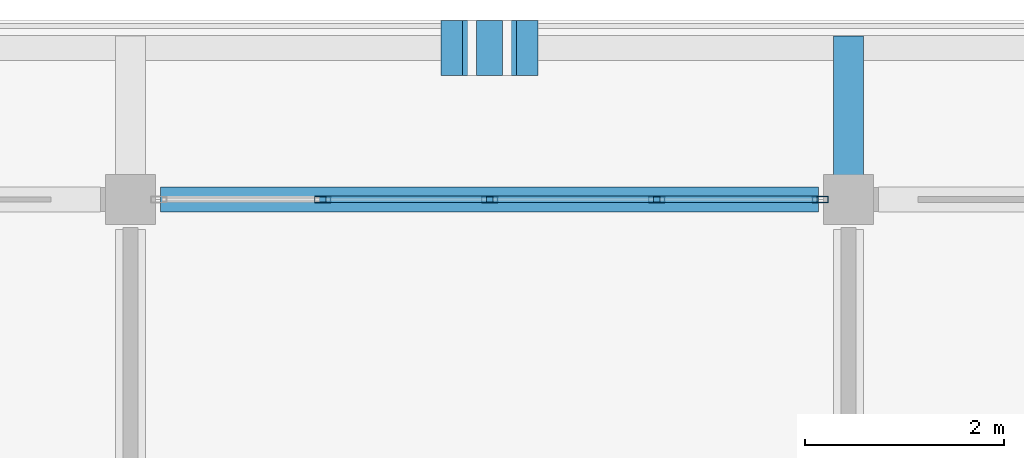
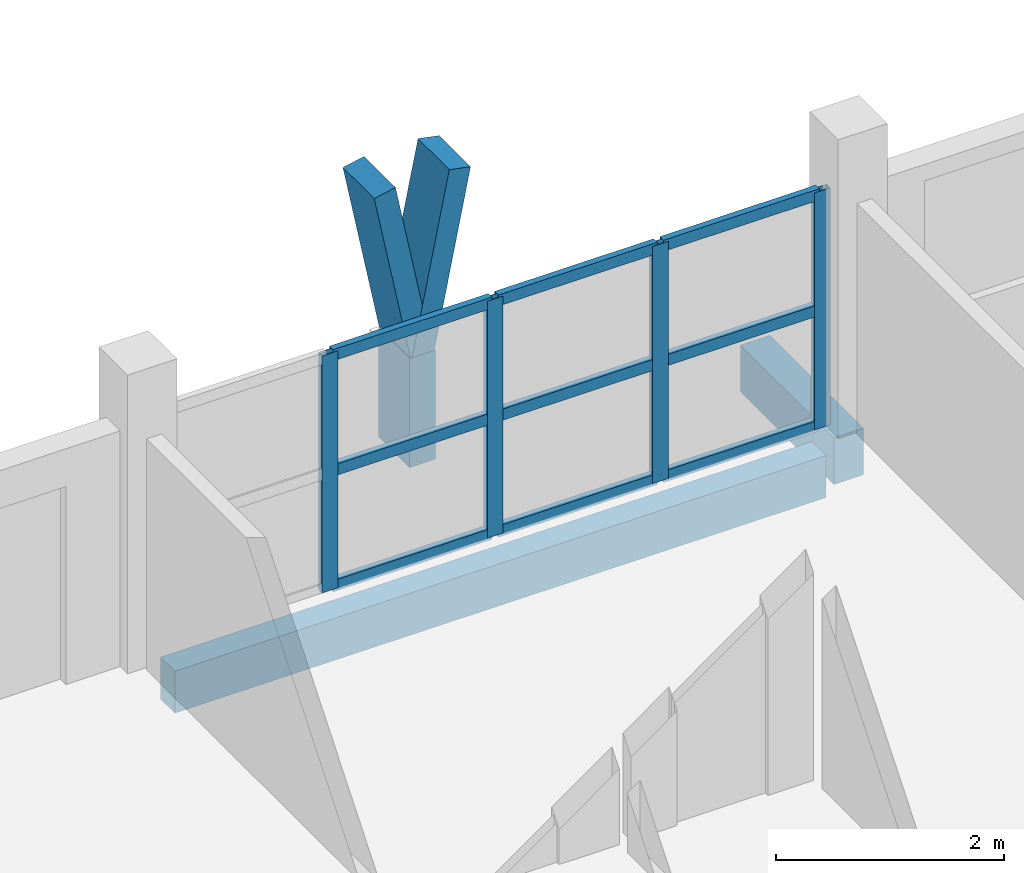
# One storey, part 9 of 45: 16 members, 2 beams, 1 element without a shape of its own.
"""IFC4 building model written with IfcOpenShell, lengths in metres."""

import ifcopenshell
import ifcopenshell.guid

model = None  # the IFC model being written
_history = None  # IfcOwnerHistory: only IFC2X3 demands one
_inside = {}  # id of a spatial element -> (the spatial element, [elements in it])
_under = {}  # id of a project, library or spatial element -> (it, [spatial elements below it])
_declared = {}  # id of a project -> (the project, [libraries it declares])
_typed = {}  # id of a type object -> (the type object, [elements of that type])
_made_of = {}  # id of a material, layer set ... -> (it, [elements and type objects made of it])


def new_model(schema):
    """Start an empty IFC model of exactly this schema.

    Asked for "IFC4X3", IfcOpenShell would pick the latest addendum, in which some entities
    have other attributes; the version numbers below select the first issue.
    IFC2X3 requires an IfcOwnerHistory on every rooted entity: one is made here for all.
    """
    global model, _history
    if schema == "IFC4X3":
        model = ifcopenshell.file(schema_version=(4, 3, 0, 0))
    else:
        model = ifcopenshell.file(schema=schema)
    _inside.clear()
    _under.clear()
    _declared.clear()
    _typed.clear()
    _made_of.clear()
    _history = None
    if model.schema == "IFC2X3":
        org = make("IfcOrganization", Name="unknown")
        user = make(
            "IfcPersonAndOrganization",
            ThePerson=make("IfcPerson", FamilyName="unknown"),
            TheOrganization=org,
        )
        app = make(
            "IfcApplication",
            ApplicationDeveloper=org,
            Version="unknown",
            ApplicationFullName="unknown",
            ApplicationIdentifier="unknown",
        )
        _history = make(
            "IfcOwnerHistory",
            OwningUser=user,
            OwningApplication=app,
            ChangeAction="ADDED",
            CreationDate=0,
        )
    return model


def make(cls, **values):
    """One entity of the class cls with the attributes given. An attribute that is None is left unset."""
    return model.create_entity(
        cls, **{name: value for name, value in values.items() if value is not None}
    )


def rooted(cls, **values):
    """An entity with a GlobalId (a new one), such as an element, a storey or a relation."""
    return make(cls, GlobalId=ifcopenshell.guid.new(), OwnerHistory=_history, **values)


def si_unit(unit_type, name, prefix=None):
    """IfcSIUnit, for example si_unit("LENGTHUNIT", "METRE", prefix="MILLI")."""
    return make("IfcSIUnit", UnitType=unit_type, Prefix=prefix, Name=name)


def assignment(units):
    """IfcUnitAssignment: the units of a project."""
    return None if units is None else make("IfcUnitAssignment", Units=units)


def point(xyz):
    """IfcCartesianPoint."""
    return None if xyz is None else make("IfcCartesianPoint", Coordinates=xyz)


def direction(xyz):
    """IfcDirection."""
    return None if xyz is None else make("IfcDirection", DirectionRatios=xyz)


def frame(location, z_axis=None, x_axis=None):
    """IfcAxis2Placement3D, a coordinate frame: its origin and axes. An axis left out is left unset."""
    return make(
        "IfcAxis2Placement3D",
        Location=point(location),
        Axis=direction(z_axis),
        RefDirection=direction(x_axis),
    )


def frame_2d(location, x_axis=None):
    """IfcAxis2Placement2D, a coordinate frame in the plane: its origin and x axis."""
    return make(
        "IfcAxis2Placement2D", Location=point(location), RefDirection=direction(x_axis)
    )


def origin():
    """The frame at (0, 0, 0) with its axes left unset."""
    return frame((0.0, 0.0, 0.0))


def origin_2d():
    """The frame at (0, 0) in the plane with its x axis left unset."""
    return frame_2d((0.0, 0.0))


def place(relative_to, where):
    """IfcLocalPlacement: puts the frame where relative to a parent placement (None: the world)."""
    return make(
        "IfcLocalPlacement", PlacementRelTo=relative_to, RelativePlacement=where
    )


def context(
    kind, dimensions, precision=None, world=None, true_north=None, identifier=None
):
    """IfcGeometricRepresentationContext, for example the 3D "Model" context."""
    return make(
        "IfcGeometricRepresentationContext",
        ContextIdentifier=identifier,
        ContextType=kind,
        CoordinateSpaceDimension=dimensions,
        Precision=precision,
        WorldCoordinateSystem=world,
        TrueNorth=true_north,
    )


def subcontext(parent, identifier, kind, view, scale=None):
    """IfcGeometricRepresentationSubContext, for example "Body" below "Model"."""
    return make(
        "IfcGeometricRepresentationSubContext",
        ContextIdentifier=identifier,
        ContextType=kind,
        ParentContext=parent,
        TargetScale=scale,
        TargetView=view,
    )


def project(units=None, contexts=None):
    """IfcProject with its units and contexts."""
    return rooted(
        "IfcProject",
        Name="project",
        RepresentationContexts=contexts,
        UnitsInContext=assignment(units),
    )


def spatial(cls, under=None, at=None, **own):
    """A site, building, storey or space (cls), placed at a placement, below another one or the project."""
    s = rooted(cls, ObjectPlacement=at, **own)
    if under is not None:
        _under.setdefault(under.id(), (under, []))[1].append(s)
    return s


def profile(cls, at=None, kind="AREA", **sizes):
    """A parametric profile (cls). Its sizes go by their IFC names, for example OverallWidth=200.0."""
    return make(cls, ProfileType=kind, Position=at, **sizes)


def rectangle(**sizes):
    """IfcRectangleProfileDef."""
    return profile("IfcRectangleProfileDef", **sizes)


def hollow_rectangle(**sizes):
    """IfcRectangleHollowProfileDef."""
    return profile("IfcRectangleHollowProfileDef", **sizes)


def extrude(swept, where, along, depth):
    """IfcExtrudedAreaSolid: the profile swept, set in the frame where, extruded along a direction by depth."""
    return make(
        "IfcExtrudedAreaSolid",
        SweptArea=swept,
        Position=where,
        ExtrudedDirection=direction(along),
        Depth=depth,
    )


def shape(context_of_items, identifier, shape_type, items):
    """IfcShapeRepresentation: the items that make up one representation, for example the "Body"."""
    return make(
        "IfcShapeRepresentation",
        ContextOfItems=context_of_items,
        RepresentationIdentifier=identifier,
        RepresentationType=shape_type,
        Items=items,
    )


def material(Name=None, Category=None):
    """IfcMaterial."""
    return make("IfcMaterial", Name=Name, Category=Category)


def material_profile(
    of_material, cross_section, Name=None, Category=None, Priority=None
):
    """IfcMaterialProfile: a cross section and its material."""
    return make(
        "IfcMaterialProfile",
        Name=Name,
        Material=of_material,
        Profile=cross_section,
        Priority=Priority,
        Category=Category,
    )


def profile_set(profiles, Name=None, composite=None):
    """IfcMaterialProfileSet."""
    return make(
        "IfcMaterialProfileSet",
        Name=Name,
        MaterialProfiles=profiles,
        CompositeProfile=composite,
    )


def made_of(thing, what):
    """Note that an element or type object is made of a material, layer set ...; save() writes the relation."""
    if what is not None:
        _made_of.setdefault(what.id(), (what, []))[1].append(thing)
    return thing


def type_object(cls, material=None, **own):
    """A type object (cls), such as IfcWallType, which elements share."""
    return made_of(rooted(cls, **own), material)


def element(
    cls,
    number,
    at=None,
    inside=None,
    cuts=None,
    type_object=None,
    material=None,
    context=None,
    identifier="Body",
    shape_type=None,
    held_by="IfcProductDefinitionShape",
    body=None,
    shapes=None,
    **own,
):
    """One element of the class cls, such as IfcWall. Its Tag is "e" and its number.

    at: its placement. inside: the storey or other place that contains it. cuts: it is an
    opening in that element (IfcRelVoidsElement). A single representation is given by context,
    identifier, shape_type and body (its items); several are given by shapes. held_by: the class
    of the entity that holds the representations. save() writes the other relations.
    """
    e = rooted(cls, Tag="e%d" % number, ObjectPlacement=at, **own)
    if body is not None:
        shapes = [shape(context, identifier, shape_type, body)]
    if shapes is not None:
        e.Representation = make(held_by, Representations=shapes)
    if inside is not None:
        _inside.setdefault(inside.id(), (inside, []))[1].append(e)
    if cuts is not None:
        rooted(
            "IfcRelVoidsElement", RelatingBuildingElement=cuts, RelatedOpeningElement=e
        )
    if type_object is not None:
        _typed.setdefault(type_object.id(), (type_object, []))[1].append(e)
    return made_of(e, material)


def aggregate(whole, parts):
    """IfcRelAggregates: a whole, such as a stair, and the parts it consists of."""
    return rooted("IfcRelAggregates", RelatingObject=whole, RelatedObjects=parts)


def save(model, path):
    """Write the relations noted so far, then the file.

    IfcRelAggregates (storeys below a building ...), IfcRelContainedInSpatialStructure (elements
    in a storey), IfcRelDefinesByType, IfcRelAssociatesMaterial and IfcRelDeclares: one each for
    every whole, place, type object, material and project.
    """
    for whole, parts in _under.values():
        aggregate(whole, parts)
    for where, things in _inside.values():
        rooted(
            "IfcRelContainedInSpatialStructure",
            RelatedElements=things,
            RelatingStructure=where,
        )
    for kind, things in _typed.values():
        rooted("IfcRelDefinesByType", RelatedObjects=things, RelatingType=kind)
    for what, things in _made_of.values():
        rooted("IfcRelAssociatesMaterial", RelatedObjects=things, RelatingMaterial=what)
    for by, libraries in _declared.values():
        rooted("IfcRelDeclares", RelatingContext=by, RelatedDefinitions=libraries)
    model.write(path)


model = new_model("IFC4")

# Units and contexts
model_context = context("Model", 3, precision=1e-05, world=origin(), true_north=direction((0.0, 1.0)))
body_context = subcontext(model_context, "Body", "Model", "MODEL_VIEW")
ifc_project = project(units=[si_unit("LENGTHUNIT", "METRE"), si_unit("AREAUNIT", "SQUARE_METRE"), si_unit("VOLUMEUNIT", "CUBIC_METRE"), si_unit("PLANEANGLEUNIT", "RADIAN"), si_unit("MASSUNIT", "GRAM", prefix="KILO")], contexts=[model_context])

# Site, building, storey
site_placement = place(None, origin())
site = spatial("IfcSite", under=ifc_project, at=site_placement, CompositionType="ELEMENT")
building_placement = place(site_placement, origin())
building = spatial("IfcBuilding", under=site, at=building_placement, Name="Suanplinth Sawtooth Commons", CompositionType="ELEMENT")
storey_placement = place(building_placement, frame((0.0, 0.0, 38.0)))
storey = spatial("IfcBuildingStorey", under=building, at=storey_placement, Name="L11", CompositionType="ELEMENT", Elevation=38.0)

# Beams
ifc_material_1 = material(Name="Precast concrete C40/50", Category="concrete")
ifc_material_profile_1 = material_profile(ifc_material_1, rectangle(XDim=0.300048828125, YDim=0.5, at=origin_2d()), Name="PC-BM 300x500")
ifc_profile_set_1 = profile_set([ifc_material_profile_1], Name="Precast concrete C40/50")
beam_type_1 = type_object("IfcBeamType", Name="B-07", PredefinedType="BEAM", material=ifc_profile_set_1)
beam_1_placement = place(storey_placement, frame((43.199951171875, 122.39990234375, -0.429931640625), z_axis=(0.0, 1.0, 0.0), x_axis=(-1.0, 0.0, 0.0)))
element("IfcBeam", 1, at=beam_1_placement, inside=storey, type_object=beam_type_1, Name="Balcony Outrigger L11-A-N-6", PredefinedType="BEAM", context=body_context, shape_type="SweptSolid", body=[
    extrude(rectangle(XDim=0.300048828125, YDim=0.5, at=origin_2d()), origin(), (0.0, 0.0, 1.0), 1.64013671875),
])
ifc_material_profile_2 = material_profile(ifc_material_1, rectangle(XDim=0.25, YDim=0.449951171875, at=origin_2d()), Name="PC-SP 250x450")
ifc_profile_set_2 = profile_set([ifc_material_profile_2], Name="Precast concrete C40/50")
beam_type_2 = type_object("IfcBeamType", Name="B-09", PredefinedType="SPANDREL", material=ifc_profile_set_2)
beam_2_placement = place(storey_placement, frame((36.300048828125, 122.39990234375, -0.465087890625), z_axis=(1.0, 0.0, 0.0), x_axis=(0.0, 1.0, 0.0)))
element("IfcBeam", 2, at=beam_2_placement, inside=storey, type_object=beam_type_2, Name="BMX-L11-A-5-17", PredefinedType="SPANDREL", context=body_context, shape_type="SweptSolid", body=[
    extrude(rectangle(XDim=0.25, YDim=0.449951171875, at=origin_2d()), origin(), (0.0, 0.0, 1.0), 6.599853515625),
])

# Members
ifc_material_2 = material(Name="Pigmented precast concrete C40/50", Category="concrete")
ifc_material_profile_3 = material_profile(ifc_material_2, rectangle(XDim=0.260009765625, YDim=0.550048828125, at=origin_2d()), Name="PC-FIN 260x550")
ifc_profile_set_3 = profile_set([ifc_material_profile_3], Name="Pigmented precast concrete C40/50")
member_type_1 = type_object("IfcMemberType", Name="M-09", PredefinedType="USERDEFINED", material=ifc_profile_set_3)
member_1_placement = place(storey_placement, frame((39.60009765625, 123.919921875, 0.0), z_axis=(0.0, 0.0, 1.0), x_axis=(1.0, 0.0, 0.0)))
element("IfcMember", 3, at=member_1_placement, inside=storey, type_object=member_type_1, Name="Y-Blade Stem L11-A-N-02", ObjectType="SHADING FIN", PredefinedType="USERDEFINED", context=body_context, shape_type="SweptSolid", body=[
    extrude(rectangle(XDim=0.260009765625, YDim=0.550048828125, at=origin_2d()), origin(), (0.0, 0.0, 1.0), 1.169921875),
])
ifc_material_profile_4 = material_profile(ifc_material_2, rectangle(XDim=0.219970703125, YDim=0.550048828125, at=origin_2d()), Name="PC-FIN 220x550")
ifc_profile_set_4 = profile_set([ifc_material_profile_4], Name="Pigmented precast concrete C40/50")
member_type_2 = type_object("IfcMemberType", Name="M-10", PredefinedType="USERDEFINED", material=ifc_profile_set_4)
member_2_placement = place(storey_placement, frame((39.60009765625, 123.919921875, 1.1298828125), z_axis=(-0.196406855569, 0.0, 0.980522486782), x_axis=(0.980522486782, 0.0, 0.196406855569)))
element("IfcMember", 4, at=member_2_placement, inside=storey, type_object=member_type_2, Name="Y-Blade Arm L L11-A-N-02", ObjectType="SHADING FIN", PredefinedType="USERDEFINED", context=body_context, shape_type="SweptSolid", body=[
    extrude(rectangle(XDim=0.219970703125, YDim=0.550048828125, at=origin_2d()), origin(), (0.0, 0.0, 1.0), 1.93798828125),
])
member_3_placement = place(storey_placement, frame((39.60009765625, 123.919921875, 1.1298828125), z_axis=(0.196285728346, 0.0, 0.980546741796), x_axis=(-0.980546741796, 0.0, 0.196285728346)))
element("IfcMember", 5, at=member_3_placement, inside=storey, type_object=member_type_2, Name="Y-Blade Arm R L11-A-N-02", ObjectType="SHADING FIN", PredefinedType="USERDEFINED", context=body_context, shape_type="SweptSolid", body=[
    extrude(rectangle(XDim=0.219970703125, YDim=0.550048828125, at=origin_2d()), origin(), (0.0, 0.0, 1.0), 1.937744140625),
])

# Curtain wall, members
ifc_material_3 = material(Name="Anodized aluminium and low-E glazing", Category="aluminium")
curtain_wall_type = type_object("IfcCurtainWallType", Name="CW-06", PredefinedType="USERDEFINED", material=ifc_material_3)
curtain_wall_placement = place(storey_placement, origin())
curtain_wall = element("IfcCurtainWall", 6, at=curtain_wall_placement, inside=storey, type_object=curtain_wall_type, Name="Curtain Wall CW-L11-A-LOUNGE-2", ObjectType="CURTAIN WALL", PredefinedType="USERDEFINED")
ifc_material_4 = material(Name="Anodized aluminium 6063-T6", Category="aluminium")
ifc_material_profile_5 = material_profile(ifc_material_4, hollow_rectangle(XDim=0.06494140625, YDim=0.159912109375, WallThickness=0.00390625, at=origin_2d()), Name="ALU-MUL 65x160")
ifc_profile_set_5 = profile_set([ifc_material_profile_5], Name="Anodized aluminium 6063-T6")
member_type_3 = type_object("IfcMemberType", Name="M-13", PredefinedType="MULLION", material=ifc_profile_set_5)
member_4_placement = place(storey_placement, frame((37.925048828125, 122.39990234375, 0.0), z_axis=(0.0, 0.0, 1.0), x_axis=(0.0, 1.0, 0.0)))
member_4 = element("IfcMember", 7, at=member_4_placement, type_object=member_type_3, Name="CW-06 mullion 2", PredefinedType="MULLION", context=body_context, shape_type="SweptSolid", body=[
    extrude(hollow_rectangle(XDim=0.06494140625, YDim=0.159912109375, WallThickness=0.00390625, at=origin_2d()), origin(), (0.0, 0.0, 1.0), 2.5400390625),
])
member_5_placement = place(storey_placement, frame((39.60009765625, 122.39990234375, 0.0), z_axis=(0.0, 0.0, 1.0), x_axis=(0.0, 1.0, 0.0)))
member_5 = element("IfcMember", 8, at=member_5_placement, type_object=member_type_3, Name="CW-06 mullion 3", PredefinedType="MULLION", context=body_context, shape_type="SweptSolid", body=[
    extrude(hollow_rectangle(XDim=0.06494140625, YDim=0.159912109375, WallThickness=0.00390625, at=origin_2d()), origin(), (0.0, 0.0, 1.0), 2.5400390625),
])
member_6_placement = place(storey_placement, frame((41.27490234375, 122.39990234375, 0.0), z_axis=(0.0, 0.0, 1.0), x_axis=(0.0, 1.0, 0.0)))
member_6 = element("IfcMember", 9, at=member_6_placement, type_object=member_type_3, Name="CW-06 mullion 4", PredefinedType="MULLION", context=body_context, shape_type="SweptSolid", body=[
    extrude(hollow_rectangle(XDim=0.06494140625, YDim=0.159912109375, WallThickness=0.00390625, at=origin_2d()), origin(), (0.0, 0.0, 1.0), 2.5400390625),
])
member_7_placement = place(storey_placement, frame((42.91748046875, 122.39990234375, 0.0), z_axis=(0.0, 0.0, 1.0), x_axis=(0.0, 1.0, 0.0)))
member_7 = element("IfcMember", 10, at=member_7_placement, type_object=member_type_3, Name="CW-06 mullion 5", PredefinedType="MULLION", context=body_context, shape_type="SweptSolid", body=[
    extrude(hollow_rectangle(XDim=0.06494140625, YDim=0.159912109375, WallThickness=0.00390625, at=origin_2d()), origin(), (0.0, 0.0, 1.0), 2.5400390625),
])
ifc_material_profile_6 = material_profile(ifc_material_4, hollow_rectangle(XDim=0.06494140625, YDim=0.1201171875, WallThickness=0.00390625, at=origin_2d()), Name="ALU-TRN 65x120")
ifc_profile_set_6 = profile_set([ifc_material_profile_6], Name="Anodized aluminium 6063-T6")
member_type_4 = type_object("IfcMemberType", Name="M-15", PredefinedType="USERDEFINED", material=ifc_profile_set_6)
member_8_placement = place(storey_placement, frame((37.95751953125, 122.39990234375, 0.032470703125), z_axis=(1.0, 0.0, 0.0), x_axis=(0.0, 1.0, 0.0)))
member_8 = element("IfcMember", 11, at=member_8_placement, type_object=member_type_4, Name="CW-06 transom 2.1", ObjectType="TRANSOM", PredefinedType="USERDEFINED", context=body_context, shape_type="SweptSolid", body=[
    extrude(hollow_rectangle(XDim=0.06494140625, YDim=0.1201171875, WallThickness=0.00390625, at=origin_2d()), origin(), (0.0, 0.0, 1.0), 1.60986328125),
])
member_9_placement = place(storey_placement, frame((37.95751953125, 122.39990234375, 1.27001953125), z_axis=(1.0, 0.0, 0.0), x_axis=(0.0, 1.0, 0.0)))
member_9 = element("IfcMember", 12, at=member_9_placement, type_object=member_type_4, Name="CW-06 transom 2.2", ObjectType="TRANSOM", PredefinedType="USERDEFINED", context=body_context, shape_type="SweptSolid", body=[
    extrude(hollow_rectangle(XDim=0.06494140625, YDim=0.1201171875, WallThickness=0.00390625, at=origin_2d()), origin(), (0.0, 0.0, 1.0), 1.60986328125),
])
member_10_placement = place(storey_placement, frame((37.95751953125, 122.39990234375, 2.507568359375), z_axis=(1.0, 0.0, 0.0), x_axis=(0.0, 1.0, 0.0)))
member_10 = element("IfcMember", 13, at=member_10_placement, type_object=member_type_4, Name="CW-06 transom 2.3", ObjectType="TRANSOM", PredefinedType="USERDEFINED", context=body_context, shape_type="SweptSolid", body=[
    extrude(hollow_rectangle(XDim=0.06494140625, YDim=0.1201171875, WallThickness=0.00390625, at=origin_2d()), origin(), (0.0, 0.0, 1.0), 1.60986328125),
])
member_11_placement = place(storey_placement, frame((39.632568359375, 122.39990234375, 0.032470703125), z_axis=(1.0, 0.0, 0.0), x_axis=(0.0, 1.0, 0.0)))
member_11 = element("IfcMember", 14, at=member_11_placement, type_object=member_type_4, Name="CW-06 transom 3.1", ObjectType="TRANSOM", PredefinedType="USERDEFINED", context=body_context, shape_type="SweptSolid", body=[
    extrude(hollow_rectangle(XDim=0.06494140625, YDim=0.1201171875, WallThickness=0.00390625, at=origin_2d()), origin(), (0.0, 0.0, 1.0), 1.60986328125),
])
member_12_placement = place(storey_placement, frame((39.632568359375, 122.39990234375, 1.27001953125), z_axis=(1.0, 0.0, 0.0), x_axis=(0.0, 1.0, 0.0)))
member_12 = element("IfcMember", 15, at=member_12_placement, type_object=member_type_4, Name="CW-06 transom 3.2", ObjectType="TRANSOM", PredefinedType="USERDEFINED", context=body_context, shape_type="SweptSolid", body=[
    extrude(hollow_rectangle(XDim=0.06494140625, YDim=0.1201171875, WallThickness=0.00390625, at=origin_2d()), origin(), (0.0, 0.0, 1.0), 1.60986328125),
])
member_13_placement = place(storey_placement, frame((39.632568359375, 122.39990234375, 2.507568359375), z_axis=(1.0, 0.0, 0.0), x_axis=(0.0, 1.0, 0.0)))
member_13 = element("IfcMember", 16, at=member_13_placement, type_object=member_type_4, Name="CW-06 transom 3.3", ObjectType="TRANSOM", PredefinedType="USERDEFINED", context=body_context, shape_type="SweptSolid", body=[
    extrude(hollow_rectangle(XDim=0.06494140625, YDim=0.1201171875, WallThickness=0.00390625, at=origin_2d()), origin(), (0.0, 0.0, 1.0), 1.60986328125),
])
member_14_placement = place(storey_placement, frame((41.3076171875, 122.39990234375, 0.032470703125), z_axis=(1.0, 0.0, 0.0), x_axis=(0.0, 1.0, 0.0)))
member_14 = element("IfcMember", 17, at=member_14_placement, type_object=member_type_4, Name="CW-06 transom 4.1", ObjectType="TRANSOM", PredefinedType="USERDEFINED", context=body_context, shape_type="SweptSolid", body=[
    extrude(hollow_rectangle(XDim=0.06494140625, YDim=0.1201171875, WallThickness=0.00390625, at=origin_2d()), origin(), (0.0, 0.0, 1.0), 1.577392578125),
])
member_15_placement = place(storey_placement, frame((41.3076171875, 122.39990234375, 1.27001953125), z_axis=(1.0, 0.0, 0.0), x_axis=(0.0, 1.0, 0.0)))
member_15 = element("IfcMember", 18, at=member_15_placement, type_object=member_type_4, Name="CW-06 transom 4.2", ObjectType="TRANSOM", PredefinedType="USERDEFINED", context=body_context, shape_type="SweptSolid", body=[
    extrude(hollow_rectangle(XDim=0.06494140625, YDim=0.1201171875, WallThickness=0.00390625, at=origin_2d()), origin(), (0.0, 0.0, 1.0), 1.577392578125),
])
member_16_placement = place(storey_placement, frame((41.3076171875, 122.39990234375, 2.507568359375), z_axis=(1.0, 0.0, 0.0), x_axis=(0.0, 1.0, 0.0)))
member_16 = element("IfcMember", 19, at=member_16_placement, type_object=member_type_4, Name="CW-06 transom 4.3", ObjectType="TRANSOM", PredefinedType="USERDEFINED", context=body_context, shape_type="SweptSolid", body=[
    extrude(hollow_rectangle(XDim=0.06494140625, YDim=0.1201171875, WallThickness=0.00390625, at=origin_2d()), origin(), (0.0, 0.0, 1.0), 1.577392578125),
])
aggregate(curtain_wall, [member_4, member_5, member_6, member_7, member_8, member_9, member_10, member_11, member_12, member_13, member_14, member_15, member_16])

save(model, "model.ifc")
